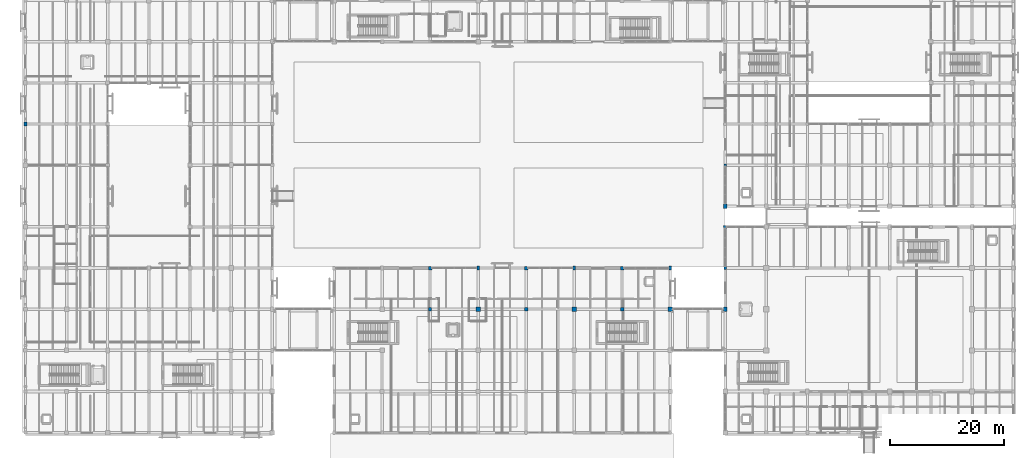
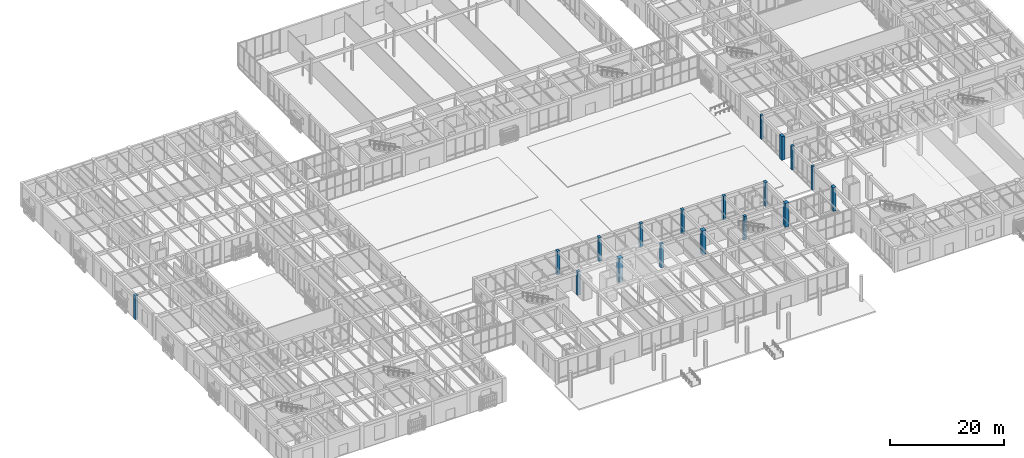
# One storey, part 6 of 169: 18 columns.
"""IFC4 building model written with IfcOpenShell, lengths in metres."""

from ifc_helpers import new_model, si_unit, direction, frame, origin, origin_2d, place, context, subcontext, project, spatial, rectangle, extrude, material, material_profile, profile_set, type_object, element, save


model = new_model("IFC4")

# Units and contexts
model_context = context("Model", 3, precision=1e-05, world=origin(), true_north=direction((0.0, 1.0)))
body_context = subcontext(model_context, "Body", "Model", "MODEL_VIEW")
ifc_project = project(units=[si_unit("LENGTHUNIT", "METRE"), si_unit("AREAUNIT", "SQUARE_METRE"), si_unit("VOLUMEUNIT", "CUBIC_METRE"), si_unit("PLANEANGLEUNIT", "RADIAN"), si_unit("MASSUNIT", "GRAM", prefix="KILO")], contexts=[model_context])

# Site, building, storey
site_placement = place(None, origin())
site = spatial("IfcSite", under=ifc_project, at=site_placement, CompositionType="ELEMENT")
building_placement = place(site_placement, origin())
building = spatial("IfcBuilding", under=site, at=building_placement, Name="Mazaris Harbour Polytechnic", CompositionType="ELEMENT")
storey_placement = place(building_placement, origin())
storey = spatial("IfcBuildingStorey", under=building, at=storey_placement, Name="L00", CompositionType="ELEMENT", Elevation=0.0)

# Columns
ifc_material_1 = material(Name="Concrete C40/50", Category="concrete")
ifc_material_profile_1 = material_profile(ifc_material_1, rectangle(XDim=0.449951171875, YDim=0.449951171875, at=origin_2d()), Name="RECT450x450")
ifc_profile_set_1 = profile_set([ifc_material_profile_1], Name="Concrete C40/50")
column_type_1 = type_object("IfcColumnType", Name="RC Column 450x450 Exterior", PredefinedType="COLUMN", material=ifc_profile_set_1)
for number, where, z_axis, x_axis, name in (
    (1, (122.39990234375, 36.0, 0.0), (0.0, 0.0, 1.0), (1.0, 0.0, 0.0), "V2 L00 Column 229"),
    (2, (122.39990234375, 54.0, 0.0), (0.0, 0.0, 1.0), (1.0, 0.0, 0.0), "V5 L00 Column 1179"),
):
    element("IfcColumn", number, at=place(storey_placement, frame(where, z_axis=z_axis, x_axis=x_axis)), inside=storey, type_object=column_type_1, Name=name, PredefinedType="COLUMN", context=body_context, shape_type="SweptSolid", body=[
        extrude(rectangle(XDim=0.449951171875, YDim=0.449951171875, at=origin_2d()), origin(), (0.0, 0.0, 1.0), 5.10009765625),
    ])
ifc_material_2 = material(Name="Concrete C40/50", Category="concrete")
ifc_material_profile_2 = material_profile(ifc_material_2, rectangle(XDim=0.5, YDim=0.5, at=origin_2d()), Name="RECT500x500")
ifc_profile_set_2 = profile_set([ifc_material_profile_2], Name="Concrete C40/50")
column_type_2 = type_object("IfcColumnType", Name="RC Column 500x500 Exterior", PredefinedType="COLUMN", material=ifc_profile_set_2)
column_1_placement = place(storey_placement, frame((122.39990234375, 43.199951171875, 0.0), z_axis=(0.0, 0.0, 1.0), x_axis=(1.0, 0.0, 0.0)))
element("IfcColumn", 3, at=column_1_placement, inside=storey, type_object=column_type_2, Name="V2 L00 Column 230", PredefinedType="COLUMN", context=body_context, shape_type="SweptSolid", body=[
    extrude(rectangle(XDim=0.5, YDim=0.5, at=origin_2d()), origin(), (0.0, 0.0, 1.0), 5.10009765625),
])
ifc_material_3 = material(Name="Concrete C40/50", Category="concrete")
ifc_material_profile_3 = material_profile(ifc_material_3, rectangle(XDim=0.5, YDim=0.699951171875, at=origin_2d()), Name="RECT500x700")
ifc_profile_set_3 = profile_set([ifc_material_profile_3], Name="Concrete C40/50")
column_type_3 = type_object("IfcColumnType", Name="RC Column 500x700 Exterior", PredefinedType="COLUMN", material=ifc_profile_set_3)
for number, where, z_axis, x_axis, name in (
    (4, (79.199951171875, 36.0, 0.0), (0.0, 0.0, 1.0), (1.0, 0.0, 0.0), "V3 L00 Column 447"),
    (5, (96.0, 36.0, 0.0), (0.0, 0.0, 1.0), (1.0, 0.0, 0.0), "V3 L00 Column 457"),
    (6, (112.800048828125, 36.0, 0.0), (0.0, 0.0, 1.0), (1.0, 0.0, 0.0), "V3 L00 Column 467"),
    (7, (0.0, 61.199951171875, 0.0), (0.0, 0.0, 1.0), (1.0, 0.0, 0.0), "V4 L00 Column 647"),
):
    element("IfcColumn", number, at=place(storey_placement, frame(where, z_axis=z_axis, x_axis=x_axis)), inside=storey, type_object=column_type_3, Name=name, PredefinedType="COLUMN", context=body_context, shape_type="SweptSolid", body=[
        extrude(rectangle(XDim=0.5, YDim=0.699951171875, at=origin_2d()), origin(), (0.0, 0.0, 1.0), 5.10009765625),
    ])
ifc_material_4 = material(Name="Concrete C40/50", Category="concrete")
ifc_material_profile_4 = material_profile(ifc_material_4, rectangle(XDim=0.550048828125, YDim=0.550048828125, at=origin_2d()), Name="RECT550x550")
ifc_profile_set_4 = profile_set([ifc_material_profile_4], Name="Concrete C40/50")
column_type_4 = type_object("IfcColumnType", Name="RC Column 550x550", PredefinedType="COLUMN", material=ifc_profile_set_4)
for number, where, z_axis, x_axis, name in (
    (8, (70.800048828125, 28.800048828125, 0.0), (0.0, 0.0, 1.0), (1.0, 0.0, 0.0), "V3 L00 Column 441"),
    (9, (87.60009765625, 28.800048828125, 0.0), (0.0, 0.0, 1.0), (1.0, 0.0, 0.0), "V3 L00 Column 451"),
    (10, (104.39990234375, 28.800048828125, 0.0), (0.0, 0.0, 1.0), (1.0, 0.0, 0.0), "V3 L00 Column 461"),
):
    element("IfcColumn", number, at=place(storey_placement, frame(where, z_axis=z_axis, x_axis=x_axis)), inside=storey, type_object=column_type_4, Name=name, PredefinedType="COLUMN", context=body_context, shape_type="SweptSolid", body=[
        extrude(rectangle(XDim=0.550048828125, YDim=0.550048828125, at=origin_2d()), origin(), (0.0, 0.0, 1.0), 5.10009765625),
    ])
ifc_material_5 = material(Name="Concrete C40/50", Category="concrete")
ifc_material_profile_5 = material_profile(ifc_material_5, rectangle(XDim=0.60009765625, YDim=0.60009765625, at=origin_2d()), Name="RECT600x600")
ifc_profile_set_5 = profile_set([ifc_material_profile_5], Name="Concrete C40/50")
column_type_5 = type_object("IfcColumnType", Name="RC Column 600x600 Exterior", PredefinedType="COLUMN", material=ifc_profile_set_5)
for number, where, z_axis, x_axis, name in (
    (11, (70.800048828125, 36.0, 0.0), (0.0, 0.0, 1.0), (1.0, 0.0, 0.0), "V3 L00 Column 442"),
    (12, (87.60009765625, 36.0, 0.0), (0.0, 0.0, 1.0), (1.0, 0.0, 0.0), "V3 L00 Column 452"),
    (13, (104.39990234375, 36.0, 0.0), (0.0, 0.0, 1.0), (1.0, 0.0, 0.0), "V3 L00 Column 462"),
):
    element("IfcColumn", number, at=place(storey_placement, frame(where, z_axis=z_axis, x_axis=x_axis)), inside=storey, type_object=column_type_5, Name=name, PredefinedType="COLUMN", context=body_context, shape_type="SweptSolid", body=[
        extrude(rectangle(XDim=0.60009765625, YDim=0.60009765625, at=origin_2d()), origin(), (0.0, 0.0, 1.0), 5.10009765625),
    ])
ifc_material_6 = material(Name="Concrete C40/50", Category="concrete")
ifc_material_profile_6 = material_profile(ifc_material_6, rectangle(XDim=0.60009765625, YDim=0.85009765625, at=origin_2d()), Name="RECT600x850")
ifc_profile_set_6 = profile_set([ifc_material_profile_6], Name="Concrete C40/50")
column_type_6 = type_object("IfcColumnType", Name="RC Column 600x850 Exterior", PredefinedType="COLUMN", material=ifc_profile_set_6)
for number, where, z_axis, x_axis, name in (
    (14, (122.39990234375, 28.800048828125, 0.0), (0.0, 0.0, 1.0), (1.0, 0.0, 0.0), "V2 L00 Column 228"),
    (15, (122.39990234375, 46.800048828125, 0.0), (0.0, 0.0, 1.0), (1.0, 0.0, 0.0), "V5 L00 Column 1178"),
):
    element("IfcColumn", number, at=place(storey_placement, frame(where, z_axis=z_axis, x_axis=x_axis)), inside=storey, type_object=column_type_6, Name=name, PredefinedType="COLUMN", context=body_context, shape_type="SweptSolid", body=[
        extrude(rectangle(XDim=0.60009765625, YDim=0.85009765625, at=origin_2d()), origin(), (0.0, 0.0, 1.0), 5.10009765625),
    ])
ifc_material_7 = material(Name="Concrete C40/50", Category="concrete")
ifc_material_profile_7 = material_profile(ifc_material_7, rectangle(XDim=0.800048828125, YDim=0.800048828125, at=origin_2d()), Name="RECT800x800")
ifc_profile_set_7 = profile_set([ifc_material_profile_7], Name="Concrete C40/50")
column_type_7 = type_object("IfcColumnType", Name="RC Column 800x800", PredefinedType="COLUMN", material=ifc_profile_set_7)
for number, where, z_axis, x_axis, name in (
    (16, (79.199951171875, 28.800048828125, 0.0), (0.0, 0.0, 1.0), (1.0, 0.0, 0.0), "V3 L00 Column 446"),
    (17, (96.0, 28.800048828125, 0.0), (0.0, 0.0, 1.0), (1.0, 0.0, 0.0), "V3 L00 Column 456"),
):
    element("IfcColumn", number, at=place(storey_placement, frame(where, z_axis=z_axis, x_axis=x_axis)), inside=storey, type_object=column_type_7, Name=name, PredefinedType="COLUMN", context=body_context, shape_type="SweptSolid", body=[
        extrude(rectangle(XDim=0.800048828125, YDim=0.800048828125, at=origin_2d()), origin(), (0.0, 0.0, 1.0), 5.10009765625),
    ])
ifc_material_8 = material(Name="Concrete C40/50", Category="concrete")
ifc_material_profile_8 = material_profile(ifc_material_8, rectangle(XDim=0.800048828125, YDim=0.800048828125, at=origin_2d()), Name="RECT800x800")
ifc_profile_set_8 = profile_set([ifc_material_profile_8], Name="Concrete C40/50")
column_type_8 = type_object("IfcColumnType", Name="RC Column 800x800 Exterior", PredefinedType="COLUMN", material=ifc_profile_set_8)
column_2_placement = place(storey_placement, frame((112.800048828125, 28.800048828125, 0.0), z_axis=(0.0, 0.0, 1.0), x_axis=(1.0, 0.0, 0.0)))
element("IfcColumn", 18, at=column_2_placement, inside=storey, type_object=column_type_8, Name="V3 L00 Column 466", PredefinedType="COLUMN", context=body_context, shape_type="SweptSolid", body=[
    extrude(rectangle(XDim=0.800048828125, YDim=0.800048828125, at=origin_2d()), origin(), (0.0, 0.0, 1.0), 5.10009765625),
])

save(model, "model.ifc")
